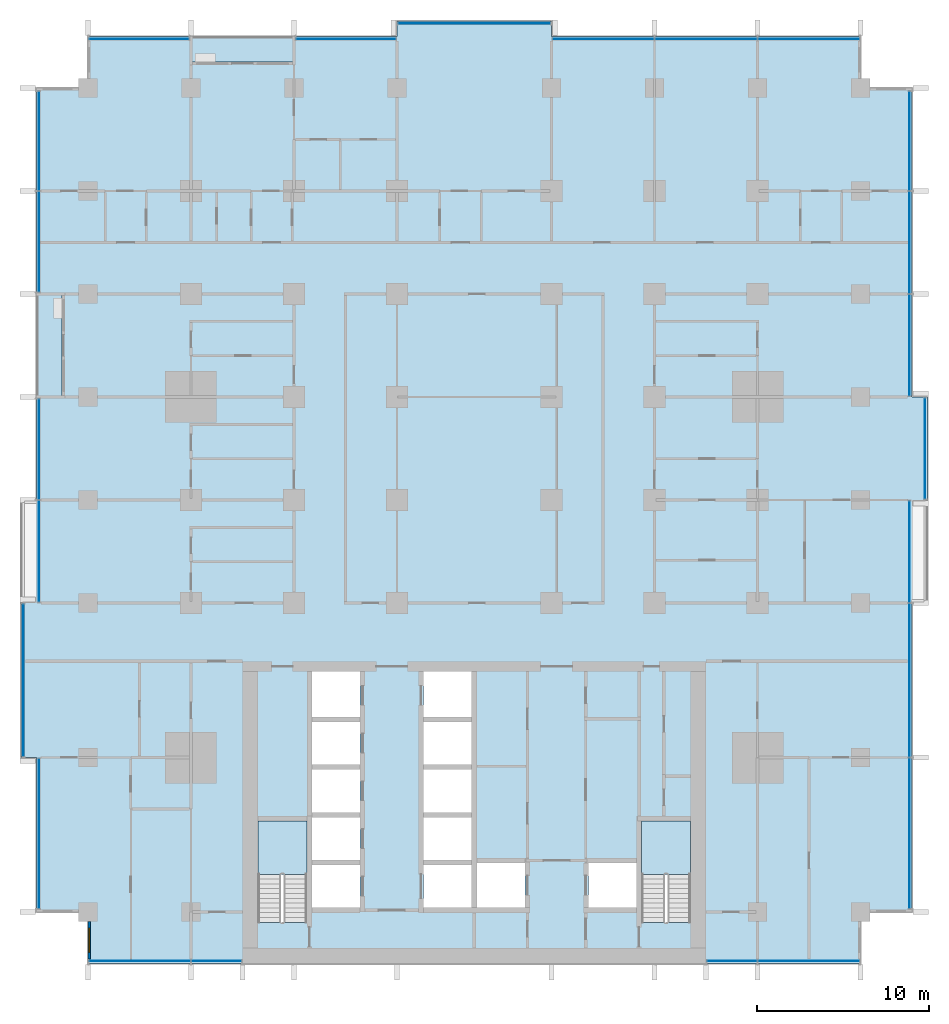
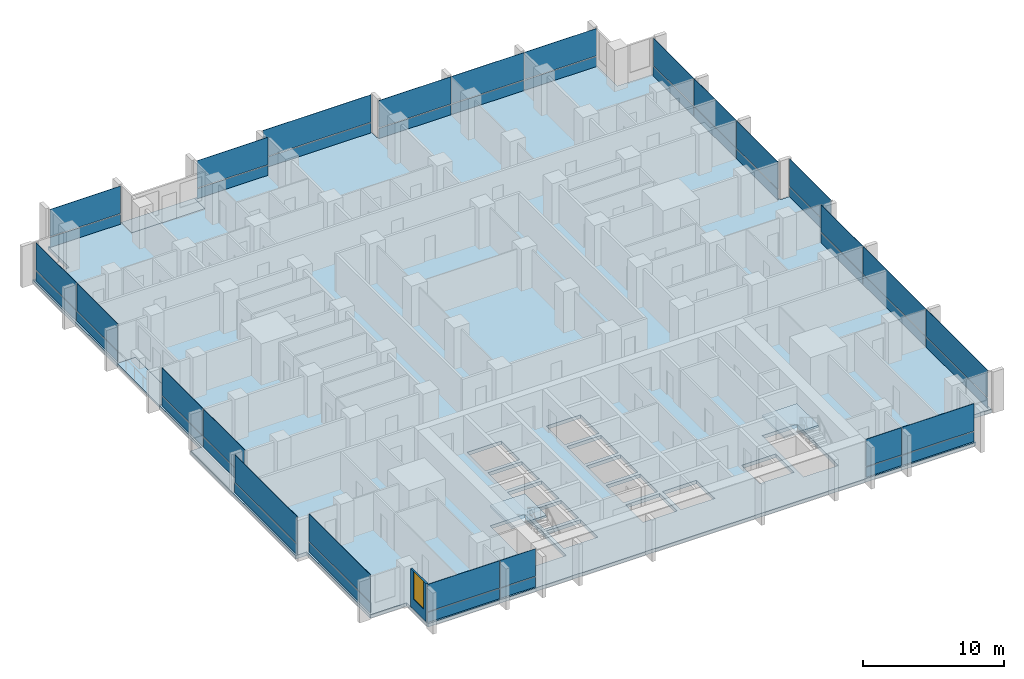
# One storey, part 6 of 17: 46 plates, 5 slabs, 1 wall, 1 window, 1 opening, 15 elements without a shape of their own.
"""IFC4 building model written with IfcOpenShell, lengths in metres."""

import ifcopenshell
import ifcopenshell.guid

model = None  # the IFC model being written
_history = None  # IfcOwnerHistory: only IFC2X3 demands one
_inside = {}  # id of a spatial element -> (the spatial element, [elements in it])
_under = {}  # id of a project, library or spatial element -> (it, [spatial elements below it])
_declared = {}  # id of a project -> (the project, [libraries it declares])
_typed = {}  # id of a type object -> (the type object, [elements of that type])
_made_of = {}  # id of a material, layer set ... -> (it, [elements and type objects made of it])


def new_model(schema):
    """Start an empty IFC model of exactly this schema.

    Asked for "IFC4X3", IfcOpenShell would pick the latest addendum, in which some entities
    have other attributes; the version numbers below select the first issue.
    IFC2X3 requires an IfcOwnerHistory on every rooted entity: one is made here for all.
    """
    global model, _history
    if schema == "IFC4X3":
        model = ifcopenshell.file(schema_version=(4, 3, 0, 0))
    else:
        model = ifcopenshell.file(schema=schema)
    _inside.clear()
    _under.clear()
    _declared.clear()
    _typed.clear()
    _made_of.clear()
    _history = None
    if model.schema == "IFC2X3":
        org = make("IfcOrganization", Name="unknown")
        user = make(
            "IfcPersonAndOrganization",
            ThePerson=make("IfcPerson", FamilyName="unknown"),
            TheOrganization=org,
        )
        app = make(
            "IfcApplication",
            ApplicationDeveloper=org,
            Version="unknown",
            ApplicationFullName="unknown",
            ApplicationIdentifier="unknown",
        )
        _history = make(
            "IfcOwnerHistory",
            OwningUser=user,
            OwningApplication=app,
            ChangeAction="ADDED",
            CreationDate=0,
        )
    return model


def make(cls, **values):
    """One entity of the class cls with the attributes given. An attribute that is None is left unset."""
    return model.create_entity(
        cls, **{name: value for name, value in values.items() if value is not None}
    )


def rooted(cls, **values):
    """An entity with a GlobalId (a new one), such as an element, a storey or a relation."""
    return make(cls, GlobalId=ifcopenshell.guid.new(), OwnerHistory=_history, **values)


def si_unit(unit_type, name, prefix=None):
    """IfcSIUnit, for example si_unit("LENGTHUNIT", "METRE", prefix="MILLI")."""
    return make("IfcSIUnit", UnitType=unit_type, Prefix=prefix, Name=name)


def assignment(units):
    """IfcUnitAssignment: the units of a project."""
    return None if units is None else make("IfcUnitAssignment", Units=units)


def point(xyz):
    """IfcCartesianPoint."""
    return None if xyz is None else make("IfcCartesianPoint", Coordinates=xyz)


def direction(xyz):
    """IfcDirection."""
    return None if xyz is None else make("IfcDirection", DirectionRatios=xyz)


def frame(location, z_axis=None, x_axis=None):
    """IfcAxis2Placement3D, a coordinate frame: its origin and axes. An axis left out is left unset."""
    return make(
        "IfcAxis2Placement3D",
        Location=point(location),
        Axis=direction(z_axis),
        RefDirection=direction(x_axis),
    )


def frame_2d(location, x_axis=None):
    """IfcAxis2Placement2D, a coordinate frame in the plane: its origin and x axis."""
    return make(
        "IfcAxis2Placement2D", Location=point(location), RefDirection=direction(x_axis)
    )


def origin():
    """The frame at (0, 0, 0) with its axes left unset."""
    return frame((0.0, 0.0, 0.0))


def origin_2d():
    """The frame at (0, 0) in the plane with its x axis left unset."""
    return frame_2d((0.0, 0.0))


def place(relative_to, where):
    """IfcLocalPlacement: puts the frame where relative to a parent placement (None: the world)."""
    return make(
        "IfcLocalPlacement", PlacementRelTo=relative_to, RelativePlacement=where
    )


def context(
    kind, dimensions, precision=None, world=None, true_north=None, identifier=None
):
    """IfcGeometricRepresentationContext, for example the 3D "Model" context."""
    return make(
        "IfcGeometricRepresentationContext",
        ContextIdentifier=identifier,
        ContextType=kind,
        CoordinateSpaceDimension=dimensions,
        Precision=precision,
        WorldCoordinateSystem=world,
        TrueNorth=true_north,
    )


def subcontext(parent, identifier, kind, view, scale=None):
    """IfcGeometricRepresentationSubContext, for example "Body" below "Model"."""
    return make(
        "IfcGeometricRepresentationSubContext",
        ContextIdentifier=identifier,
        ContextType=kind,
        ParentContext=parent,
        TargetScale=scale,
        TargetView=view,
    )


def project(units=None, contexts=None):
    """IfcProject with its units and contexts."""
    return rooted(
        "IfcProject",
        Name="project",
        RepresentationContexts=contexts,
        UnitsInContext=assignment(units),
    )


def spatial(cls, under=None, at=None, **own):
    """A site, building, storey or space (cls), placed at a placement, below another one or the project."""
    s = rooted(cls, ObjectPlacement=at, **own)
    if under is not None:
        _under.setdefault(under.id(), (under, []))[1].append(s)
    return s


def polyline(points):
    """IfcPolyline through the points."""
    return make("IfcPolyline", Points=[point(p) for p in points])


def profile(cls, at=None, kind="AREA", **sizes):
    """A parametric profile (cls). Its sizes go by their IFC names, for example OverallWidth=200.0."""
    return make(cls, ProfileType=kind, Position=at, **sizes)


def rectangle(**sizes):
    """IfcRectangleProfileDef."""
    return profile("IfcRectangleProfileDef", **sizes)


def outline(outer, holes=None, kind="AREA"):
    """IfcArbitraryClosedProfileDef: a profile drawn as a closed curve; with holes, ...WithVoids."""
    if holes is None:
        return make("IfcArbitraryClosedProfileDef", ProfileType=kind, OuterCurve=outer)
    return make(
        "IfcArbitraryProfileDefWithVoids",
        ProfileType=kind,
        OuterCurve=outer,
        InnerCurves=holes,
    )


def extrude(swept, where, along, depth):
    """IfcExtrudedAreaSolid: the profile swept, set in the frame where, extruded along a direction by depth."""
    return make(
        "IfcExtrudedAreaSolid",
        SweptArea=swept,
        Position=where,
        ExtrudedDirection=direction(along),
        Depth=depth,
    )


def shape(context_of_items, identifier, shape_type, items):
    """IfcShapeRepresentation: the items that make up one representation, for example the "Body"."""
    return make(
        "IfcShapeRepresentation",
        ContextOfItems=context_of_items,
        RepresentationIdentifier=identifier,
        RepresentationType=shape_type,
        Items=items,
    )


def material(Name=None, Category=None):
    """IfcMaterial."""
    return make("IfcMaterial", Name=Name, Category=Category)


def layer(
    of_material, thickness, ventilated=None, Name=None, Category=None, Priority=None
):
    """IfcMaterialLayer: one layer of a wall or slab, of a material (None: an air gap)."""
    return make(
        "IfcMaterialLayer",
        Material=of_material,
        LayerThickness=thickness,
        IsVentilated=ventilated,
        Name=Name,
        Category=Category,
        Priority=Priority,
    )


def layer_set(layers, Name=None):
    """IfcMaterialLayerSet."""
    return make("IfcMaterialLayerSet", MaterialLayers=layers, LayerSetName=Name)


def made_of(thing, what):
    """Note that an element or type object is made of a material, layer set ...; save() writes the relation."""
    if what is not None:
        _made_of.setdefault(what.id(), (what, []))[1].append(thing)
    return thing


def type_object(cls, material=None, **own):
    """A type object (cls), such as IfcWallType, which elements share."""
    return made_of(rooted(cls, **own), material)


def element(
    cls,
    number,
    at=None,
    inside=None,
    cuts=None,
    type_object=None,
    material=None,
    context=None,
    identifier="Body",
    shape_type=None,
    held_by="IfcProductDefinitionShape",
    body=None,
    shapes=None,
    **own,
):
    """One element of the class cls, such as IfcWall. Its Tag is "e" and its number.

    at: its placement. inside: the storey or other place that contains it. cuts: it is an
    opening in that element (IfcRelVoidsElement). A single representation is given by context,
    identifier, shape_type and body (its items); several are given by shapes. held_by: the class
    of the entity that holds the representations. save() writes the other relations.
    """
    e = rooted(cls, Tag="e%d" % number, ObjectPlacement=at, **own)
    if body is not None:
        shapes = [shape(context, identifier, shape_type, body)]
    if shapes is not None:
        e.Representation = make(held_by, Representations=shapes)
    if inside is not None:
        _inside.setdefault(inside.id(), (inside, []))[1].append(e)
    if cuts is not None:
        rooted(
            "IfcRelVoidsElement", RelatingBuildingElement=cuts, RelatedOpeningElement=e
        )
    if type_object is not None:
        _typed.setdefault(type_object.id(), (type_object, []))[1].append(e)
    return made_of(e, material)


def fill(opening, filler):
    """IfcRelFillsElement: the door or window that sits in an opening."""
    return rooted(
        "IfcRelFillsElement",
        RelatingOpeningElement=opening,
        RelatedBuildingElement=filler,
    )


def aggregate(whole, parts):
    """IfcRelAggregates: a whole, such as a stair, and the parts it consists of."""
    return rooted("IfcRelAggregates", RelatingObject=whole, RelatedObjects=parts)


def save(model, path):
    """Write the relations noted so far, then the file.

    IfcRelAggregates (storeys below a building ...), IfcRelContainedInSpatialStructure (elements
    in a storey), IfcRelDefinesByType, IfcRelAssociatesMaterial and IfcRelDeclares: one each for
    every whole, place, type object, material and project.
    """
    for whole, parts in _under.values():
        aggregate(whole, parts)
    for where, things in _inside.values():
        rooted(
            "IfcRelContainedInSpatialStructure",
            RelatedElements=things,
            RelatingStructure=where,
        )
    for kind, things in _typed.values():
        rooted("IfcRelDefinesByType", RelatedObjects=things, RelatingType=kind)
    for what, things in _made_of.values():
        rooted("IfcRelAssociatesMaterial", RelatedObjects=things, RelatingMaterial=what)
    for by, libraries in _declared.values():
        rooted("IfcRelDeclares", RelatingContext=by, RelatedDefinitions=libraries)
    model.write(path)


model = new_model("IFC4")

# Units and contexts
model_context = context("Model", 3, precision=1e-05, world=origin(), true_north=direction((0.0, 1.0)))
body_context = subcontext(model_context, "Body", "Model", "MODEL_VIEW")
ifc_project = project(units=[si_unit("LENGTHUNIT", "METRE"), si_unit("AREAUNIT", "SQUARE_METRE"), si_unit("VOLUMEUNIT", "CUBIC_METRE"), si_unit("PLANEANGLEUNIT", "RADIAN"), si_unit("MASSUNIT", "GRAM", prefix="KILO")], contexts=[model_context])

# Site, building, storey
site_placement = place(None, origin())
site = spatial("IfcSite", under=ifc_project, at=site_placement, CompositionType="ELEMENT")
building_placement = place(site_placement, origin())
building = spatial("IfcBuilding", under=site, at=building_placement, Name="Finial Court Residences", CompositionType="ELEMENT")
storey_placement = place(building_placement, frame((0.0, 0.0, 61.300048828125)))
storey = spatial("IfcBuildingStorey", under=building, at=storey_placement, Name="L14", CompositionType="ELEMENT", Elevation=61.300048828125)

# Slabs
ifc_material_1 = material(Name="Concrete C35/45", Category="concrete")
ifc_layer_1 = layer(ifc_material_1, 0.199951171875)
ifc_layer_set_1 = layer_set([ifc_layer_1], Name="Balcony slab, Concrete C35/45 200")
slab_type_1 = type_object("IfcSlabType", Name="Balcony slab, Concrete C35/45 200", PredefinedType="FLOOR", material=ifc_layer_set_1)
slab_1_placement = place(storey_placement, frame((0.0, 0.0, -0.199951171875)))
element("IfcSlab", 1, at=slab_1_placement, inside=storey, type_object=slab_type_1, Name="Balcony L14-N2", PredefinedType="FLOOR", context=body_context, shape_type="SweptSolid", body=[
    extrude(outline(polyline([(-10.5, 27.0), (-10.5, 28.5), (-16.5, 28.5), (-16.5, 27.0), (-10.5, 27.0)])), origin(), (0.0, 0.0, 1.0), 0.199951171875),
])
slab_2_placement = place(storey_placement, frame((0.0, 0.0, -0.199951171875)))
element("IfcSlab", 2, at=slab_2_placement, inside=storey, type_object=slab_type_1, Name="Balcony L14-W5", PredefinedType="FLOOR", context=body_context, shape_type="SweptSolid", body=[
    extrude(outline(polyline([(-24.0, 7.5), (-24.0, 13.5), (-25.5, 13.5), (-25.5, 7.5), (-24.0, 7.5)])), origin(), (0.0, 0.0, 1.0), 0.199951171875),
])

# Curtain wall, plate
ifc_material_2 = material(Name="Bronze anodised aluminium", Category="aluminium")
curtain_wall_type = type_object("IfcCurtainWallType", Name="Unitised curtain wall, lower and middle zones", PredefinedType="NOTDEFINED", material=ifc_material_2)
curtain_wall_1_placement = place(storey_placement, origin())
curtain_wall_1 = element("IfcCurtainWall", 3, at=curtain_wall_1_placement, inside=storey, type_object=curtain_wall_type, Name="E-L14-CW-N1", PredefinedType="NOTDEFINED")
ifc_layer_2 = layer(ifc_material_2, 0.0400390625)
ifc_layer_set_2 = layer_set([ifc_layer_2], Name="CW1 spandrel panel 40")
plate_type_1 = type_object("IfcPlateType", Name="CW1 spandrel panel 40", PredefinedType="CURTAIN_PANEL", material=ifc_layer_set_2)
plate_1_placement = place(storey_placement, frame((-19.53759765625, 28.35009765625, 0.0), z_axis=(0.0, 0.0, 1.0), x_axis=(1.0, 0.0, 0.0)))
plate_1 = element("IfcPlate", 4, at=plate_1_placement, type_object=plate_type_1, Name="CW1 spandrel 1.1", PredefinedType="CURTAIN_PANEL", context=body_context, shape_type="SweptSolid", body=[
    extrude(rectangle(XDim=5.794921875, YDim=0.0400390625, at=origin_2d()), origin(), (0.0, 0.0, 1.0), 0.867431640625),
])

curtain_wall_2_placement = place(storey_placement, origin())
curtain_wall_2 = element("IfcCurtainWall", 5, at=curtain_wall_2_placement, inside=storey, type_object=curtain_wall_type, Name="E-L14-CW-N2", PredefinedType="NOTDEFINED")
plate_2_placement = place(storey_placement, frame((-7.46240234375, 28.35009765625, 0.0), z_axis=(0.0, 0.0, 1.0), x_axis=(1.0, 0.0, 0.0)))
plate_2 = element("IfcPlate", 6, at=plate_2_placement, type_object=plate_type_1, Name="CW1 spandrel 1.1", PredefinedType="CURTAIN_PANEL", context=body_context, shape_type="SweptSolid", body=[
    extrude(rectangle(XDim=5.794921875, YDim=0.0400390625, at=origin_2d()), origin(), (0.0, 0.0, 1.0), 0.867431640625),
])

curtain_wall_3_placement = place(storey_placement, origin())
curtain_wall_3 = element("IfcCurtainWall", 7, at=curtain_wall_3_placement, inside=storey, type_object=curtain_wall_type, Name="E-L14-CW-N3", PredefinedType="NOTDEFINED")
plate_3_placement = place(storey_placement, frame((0.0, 29.25, 0.0), z_axis=(0.0, 0.0, 1.0), x_axis=(1.0, 0.0, 0.0)))
plate_3 = element("IfcPlate", 8, at=plate_3_placement, type_object=plate_type_1, Name="CW1 spandrel 1.1", PredefinedType="CURTAIN_PANEL", context=body_context, shape_type="SweptSolid", body=[
    extrude(rectangle(XDim=8.8701171875, YDim=0.0400390625, at=origin_2d()), origin(), (0.0, 0.0, 1.0), 0.867431640625),
])

# Curtain wall, plates
curtain_wall_4_placement = place(storey_placement, origin())
curtain_wall_4 = element("IfcCurtainWall", 9, at=curtain_wall_4_placement, inside=storey, type_object=curtain_wall_type, Name="E-L14-CW-N4", PredefinedType="NOTDEFINED")
plate_4_placement = place(storey_placement, frame((7.51611328125, 28.35009765625, 0.0), z_axis=(0.0, 0.0, 1.0), x_axis=(1.0, 0.0, 0.0)))
plate_4 = element("IfcPlate", 10, at=plate_4_placement, type_object=plate_type_1, Name="CW1 spandrel 1.1", PredefinedType="CURTAIN_PANEL", context=body_context, shape_type="SweptSolid", body=[
    extrude(rectangle(XDim=5.902587890625, YDim=0.0400390625, at=origin_2d()), origin(), (0.0, 0.0, 1.0), 0.867431640625),
])
plate_5_placement = place(storey_placement, frame((13.5, 28.35009765625, 0.0), z_axis=(0.0, 0.0, 1.0), x_axis=(1.0, 0.0, 0.0)))
plate_5 = element("IfcPlate", 11, at=plate_5_placement, type_object=plate_type_1, Name="CW1 spandrel 2.1", PredefinedType="CURTAIN_PANEL", context=body_context, shape_type="SweptSolid", body=[
    extrude(rectangle(XDim=5.93505859375, YDim=0.0400390625, at=origin_2d()), origin(), (0.0, 0.0, 1.0), 0.867431640625),
])
plate_6_placement = place(storey_placement, frame((19.48388671875, 28.35009765625, 0.0), z_axis=(0.0, 0.0, 1.0), x_axis=(1.0, 0.0, 0.0)))
plate_6 = element("IfcPlate", 12, at=plate_6_placement, type_object=plate_type_1, Name="CW1 spandrel 3.1", PredefinedType="CURTAIN_PANEL", context=body_context, shape_type="SweptSolid", body=[
    extrude(rectangle(XDim=5.902587890625, YDim=0.0400390625, at=origin_2d()), origin(), (0.0, 0.0, 1.0), 0.867431640625),
])

curtain_wall_5_placement = place(storey_placement, origin())
curtain_wall_5 = element("IfcCurtainWall", 13, at=curtain_wall_5_placement, inside=storey, type_object=curtain_wall_type, Name="E-L14-CW-E5", PredefinedType="NOTDEFINED")
plate_7_placement = place(storey_placement, frame((25.35009765625, -17.90869140625, 0.0), z_axis=(0.0, 0.0, 1.0), x_axis=(0.0, 1.0, 0.0)))
plate_7 = element("IfcPlate", 14, at=plate_7_placement, type_object=plate_type_1, Name="CW1 spandrel 1.1", PredefinedType="CURTAIN_PANEL", context=body_context, shape_type="SweptSolid", body=[
    extrude(rectangle(XDim=8.75244140625, YDim=0.0400390625, at=origin_2d()), origin(), (0.0, 0.0, 1.0), 0.867431640625),
])
plate_8_placement = place(storey_placement, frame((25.35009765625, -9.0, 0.0), z_axis=(0.0, 0.0, 1.0), x_axis=(0.0, 1.0, 0.0)))
plate_8 = element("IfcPlate", 15, at=plate_8_placement, type_object=plate_type_1, Name="CW1 spandrel 2.1", PredefinedType="CURTAIN_PANEL", context=body_context, shape_type="SweptSolid", body=[
    extrude(rectangle(XDim=8.93505859375, YDim=0.0400390625, at=origin_2d()), origin(), (0.0, 0.0, 1.0), 0.867431640625),
])
plate_9_placement = place(storey_placement, frame((25.35009765625, -1.516357421875, 0.0), z_axis=(0.0, 0.0, 1.0), x_axis=(0.0, 1.0, 0.0)))
plate_9 = element("IfcPlate", 16, at=plate_9_placement, type_object=plate_type_1, Name="CW1 spandrel 3.1", PredefinedType="CURTAIN_PANEL", context=body_context, shape_type="SweptSolid", body=[
    extrude(rectangle(XDim=5.902587890625, YDim=0.0400390625, at=origin_2d()), origin(), (0.0, 0.0, 1.0), 0.867431640625),
])

# Curtain wall, plate
curtain_wall_6_placement = place(storey_placement, origin())
curtain_wall_6 = element("IfcCurtainWall", 17, at=curtain_wall_6_placement, inside=storey, type_object=curtain_wall_type, Name="E-L14-CW-E6", PredefinedType="NOTDEFINED")
plate_10_placement = place(storey_placement, frame((26.25, 4.5, 0.0), z_axis=(0.0, 0.0, 1.0), x_axis=(0.0, 1.0, 0.0)))
plate_10 = element("IfcPlate", 18, at=plate_10_placement, type_object=plate_type_1, Name="CW1 spandrel 1.1", PredefinedType="CURTAIN_PANEL", context=body_context, shape_type="SweptSolid", body=[
    extrude(rectangle(XDim=5.8701171875, YDim=0.0400390625, at=origin_2d()), origin(), (0.0, 0.0, 1.0), 0.867431640625),
])

# Curtain wall, plates
curtain_wall_7_placement = place(storey_placement, origin())
curtain_wall_7 = element("IfcCurtainWall", 19, at=curtain_wall_7_placement, inside=storey, type_object=curtain_wall_type, Name="E-L14-CW-E7", PredefinedType="NOTDEFINED")
plate_11_placement = place(storey_placement, frame((25.35009765625, 10.51611328125, 0.0), z_axis=(0.0, 0.0, 1.0), x_axis=(0.0, 1.0, 0.0)))
plate_11 = element("IfcPlate", 20, at=plate_11_placement, type_object=plate_type_1, Name="CW1 spandrel 1.1", PredefinedType="CURTAIN_PANEL", context=body_context, shape_type="SweptSolid", body=[
    extrude(rectangle(XDim=5.902587890625, YDim=0.0400390625, at=origin_2d()), origin(), (0.0, 0.0, 1.0), 0.867431640625),
])
plate_12_placement = place(storey_placement, frame((25.35009765625, 16.5, 0.0), z_axis=(0.0, 0.0, 1.0), x_axis=(0.0, 1.0, 0.0)))
plate_12 = element("IfcPlate", 21, at=plate_12_placement, type_object=plate_type_1, Name="CW1 spandrel 2.1", PredefinedType="CURTAIN_PANEL", context=body_context, shape_type="SweptSolid", body=[
    extrude(rectangle(XDim=5.93505859375, YDim=0.0400390625, at=origin_2d()), origin(), (0.0, 0.0, 1.0), 0.867431640625),
])
plate_13_placement = place(storey_placement, frame((25.35009765625, 22.40869140625, 0.0), z_axis=(0.0, 0.0, 1.0), x_axis=(0.0, 1.0, 0.0)))
plate_13 = element("IfcPlate", 22, at=plate_13_placement, type_object=plate_type_1, Name="CW1 spandrel 3.1", PredefinedType="CURTAIN_PANEL", context=body_context, shape_type="SweptSolid", body=[
    extrude(rectangle(XDim=5.75244140625, YDim=0.0400390625, at=origin_2d()), origin(), (0.0, 0.0, 1.0), 0.867431640625),
])

curtain_wall_8_placement = place(storey_placement, origin())
curtain_wall_8 = element("IfcCurtainWall", 23, at=curtain_wall_8_placement, inside=storey, type_object=curtain_wall_type, Name="E-L14-CW-S8", PredefinedType="NOTDEFINED")
plate_14_placement = place(storey_placement, frame((-19.48388671875, -25.35009765625, 0.0), z_axis=(0.0, 0.0, 1.0), x_axis=(1.0, 0.0, 0.0)))
plate_14 = element("IfcPlate", 24, at=plate_14_placement, type_object=plate_type_1, Name="CW1 spandrel 1.1", PredefinedType="CURTAIN_PANEL", context=body_context, shape_type="SweptSolid", body=[
    extrude(rectangle(XDim=5.902587890625, YDim=0.0400390625, at=origin_2d()), origin(), (0.0, 0.0, 1.0), 0.867431640625),
])
plate_15_placement = place(storey_placement, frame((-15.016357421875, -25.35009765625, 0.0), z_axis=(0.0, 0.0, 1.0), x_axis=(1.0, 0.0, 0.0)))
plate_15 = element("IfcPlate", 25, at=plate_15_placement, type_object=plate_type_1, Name="CW1 spandrel 2.1", PredefinedType="CURTAIN_PANEL", context=body_context, shape_type="SweptSolid", body=[
    extrude(rectangle(XDim=2.902587890625, YDim=0.0400390625, at=origin_2d()), origin(), (0.0, 0.0, 1.0), 0.867431640625),
])

curtain_wall_9_placement = place(storey_placement, origin())
curtain_wall_9 = element("IfcCurtainWall", 26, at=curtain_wall_9_placement, inside=storey, type_object=curtain_wall_type, Name="E-L14-CW-S9", PredefinedType="NOTDEFINED")
plate_16_placement = place(storey_placement, frame((15.016357421875, -25.35009765625, 0.0), z_axis=(0.0, 0.0, 1.0), x_axis=(1.0, 0.0, 0.0)))
plate_16 = element("IfcPlate", 27, at=plate_16_placement, type_object=plate_type_1, Name="CW1 spandrel 1.1", PredefinedType="CURTAIN_PANEL", context=body_context, shape_type="SweptSolid", body=[
    extrude(rectangle(XDim=2.902587890625, YDim=0.0400390625, at=origin_2d()), origin(), (0.0, 0.0, 1.0), 0.867431640625),
])
plate_17_placement = place(storey_placement, frame((19.48388671875, -25.35009765625, 0.0), z_axis=(0.0, 0.0, 1.0), x_axis=(1.0, 0.0, 0.0)))
plate_17 = element("IfcPlate", 28, at=plate_17_placement, type_object=plate_type_1, Name="CW1 spandrel 2.1", PredefinedType="CURTAIN_PANEL", context=body_context, shape_type="SweptSolid", body=[
    extrude(rectangle(XDim=5.902587890625, YDim=0.0400390625, at=origin_2d()), origin(), (0.0, 0.0, 1.0), 0.867431640625),
])

# Curtain wall, plate
curtain_wall_10_placement = place(storey_placement, origin())
curtain_wall_10 = element("IfcCurtainWall", 29, at=curtain_wall_10_placement, inside=storey, type_object=curtain_wall_type, Name="E-L14-CW-W10", PredefinedType="NOTDEFINED")
plate_18_placement = place(storey_placement, frame((-25.35009765625, -17.925048828125, 0.0), z_axis=(0.0, 0.0, 1.0), x_axis=(0.0, 1.0, 0.0)))
plate_18 = element("IfcPlate", 30, at=plate_18_placement, type_object=plate_type_1, Name="CW1 spandrel 1.1", PredefinedType="CURTAIN_PANEL", context=body_context, shape_type="SweptSolid", body=[
    extrude(rectangle(XDim=8.719970703125, YDim=0.0400390625, at=origin_2d()), origin(), (0.0, 0.0, 1.0), 0.867431640625),
])

curtain_wall_11_placement = place(storey_placement, origin())
curtain_wall_11 = element("IfcCurtainWall", 31, at=curtain_wall_11_placement, inside=storey, type_object=curtain_wall_type, Name="E-L14-CW-W11", PredefinedType="NOTDEFINED")
plate_19_placement = place(storey_placement, frame((-26.25, -9.0, 0.0), z_axis=(0.0, 0.0, 1.0), x_axis=(0.0, 1.0, 0.0)))
plate_19 = element("IfcPlate", 32, at=plate_19_placement, type_object=plate_type_1, Name="CW1 spandrel 1.1", PredefinedType="CURTAIN_PANEL", context=body_context, shape_type="SweptSolid", body=[
    extrude(rectangle(XDim=8.8701171875, YDim=0.0400390625, at=origin_2d()), origin(), (0.0, 0.0, 1.0), 0.867431640625),
])

# Curtain wall, plates
curtain_wall_12_placement = place(storey_placement, origin())
curtain_wall_12 = element("IfcCurtainWall", 33, at=curtain_wall_12_placement, inside=storey, type_object=curtain_wall_type, Name="E-L14-CW-W12", PredefinedType="NOTDEFINED")
plate_20_placement = place(storey_placement, frame((-25.35009765625, -1.48388671875, 0.0), z_axis=(0.0, 0.0, 1.0), x_axis=(0.0, 1.0, 0.0)))
plate_20 = element("IfcPlate", 34, at=plate_20_placement, type_object=plate_type_1, Name="CW1 spandrel 1.1", PredefinedType="CURTAIN_PANEL", context=body_context, shape_type="SweptSolid", body=[
    extrude(rectangle(XDim=5.902587890625, YDim=0.0400390625, at=origin_2d()), origin(), (0.0, 0.0, 1.0), 0.867431640625),
])
plate_21_placement = place(storey_placement, frame((-25.35009765625, 4.4462890625, 0.0), z_axis=(0.0, 0.0, 1.0), x_axis=(0.0, 1.0, 0.0)))
plate_21 = element("IfcPlate", 35, at=plate_21_placement, type_object=plate_type_1, Name="CW1 spandrel 2.1", PredefinedType="CURTAIN_PANEL", context=body_context, shape_type="SweptSolid", body=[
    extrude(rectangle(XDim=5.827392578125, YDim=0.0400390625, at=origin_2d()), origin(), (0.0, 0.0, 1.0), 0.867431640625),
])

curtain_wall_13_placement = place(storey_placement, origin())
curtain_wall_13 = element("IfcCurtainWall", 36, at=curtain_wall_13_placement, inside=storey, type_object=curtain_wall_type, Name="E-L14-CW-W13", PredefinedType="NOTDEFINED")
plate_22_placement = place(storey_placement, frame((-25.35009765625, 16.5537109375, 0.0), z_axis=(0.0, 0.0, 1.0), x_axis=(0.0, 1.0, 0.0)))
plate_22 = element("IfcPlate", 37, at=plate_22_placement, type_object=plate_type_1, Name="CW1 spandrel 1.1", PredefinedType="CURTAIN_PANEL", context=body_context, shape_type="SweptSolid", body=[
    extrude(rectangle(XDim=5.827392578125, YDim=0.0400390625, at=origin_2d()), origin(), (0.0, 0.0, 1.0), 0.867431640625),
])
plate_23_placement = place(storey_placement, frame((-25.35009765625, 22.40869140625, 0.0), z_axis=(0.0, 0.0, 1.0), x_axis=(0.0, 1.0, 0.0)))
plate_23 = element("IfcPlate", 38, at=plate_23_placement, type_object=plate_type_1, Name="CW1 spandrel 2.1", PredefinedType="CURTAIN_PANEL", context=body_context, shape_type="SweptSolid", body=[
    extrude(rectangle(XDim=5.75244140625, YDim=0.0400390625, at=origin_2d()), origin(), (0.0, 0.0, 1.0), 0.867431640625),
])

# Plate
ifc_material_3 = material(Name="Clear low-e glass", Category="glass")
ifc_layer_3 = layer(ifc_material_3, 0.031982421875)
ifc_layer_set_3 = layer_set([ifc_layer_3], Name="CW1 vision glass 32")
plate_type_2 = type_object("IfcPlateType", Name="CW1 vision glass 32", PredefinedType="CURTAIN_PANEL", material=ifc_layer_set_3)
plate_24_placement = place(storey_placement, frame((-19.53759765625, 28.35009765625, 0.9326171875), z_axis=(0.0, 0.0, 1.0), x_axis=(1.0, 0.0, 0.0)))
plate_24 = element("IfcPlate", 39, at=plate_24_placement, type_object=plate_type_2, Name="CW1 glass 1.2", PredefinedType="CURTAIN_PANEL", context=body_context, shape_type="SweptSolid", body=[
    extrude(rectangle(XDim=5.794921875, YDim=0.031982421875, at=origin_2d()), origin(), (0.0, 0.0, 1.0), 2.367431640625),
])

aggregate(curtain_wall_1, [plate_1, plate_24])

plate_25_placement = place(storey_placement, frame((-7.46240234375, 28.35009765625, 0.9326171875), z_axis=(0.0, 0.0, 1.0), x_axis=(1.0, 0.0, 0.0)))
plate_25 = element("IfcPlate", 40, at=plate_25_placement, type_object=plate_type_2, Name="CW1 glass 1.2", PredefinedType="CURTAIN_PANEL", context=body_context, shape_type="SweptSolid", body=[
    extrude(rectangle(XDim=5.794921875, YDim=0.031982421875, at=origin_2d()), origin(), (0.0, 0.0, 1.0), 2.367431640625),
])

aggregate(curtain_wall_2, [plate_2, plate_25])

plate_26_placement = place(storey_placement, frame((0.0, 29.25, 0.9326171875), z_axis=(0.0, 0.0, 1.0), x_axis=(1.0, 0.0, 0.0)))
plate_26 = element("IfcPlate", 41, at=plate_26_placement, type_object=plate_type_2, Name="CW1 glass 1.2", PredefinedType="CURTAIN_PANEL", context=body_context, shape_type="SweptSolid", body=[
    extrude(rectangle(XDim=8.8701171875, YDim=0.031982421875, at=origin_2d()), origin(), (0.0, 0.0, 1.0), 2.367431640625),
])

aggregate(curtain_wall_3, [plate_3, plate_26])

plate_27_placement = place(storey_placement, frame((7.51611328125, 28.35009765625, 0.9326171875), z_axis=(0.0, 0.0, 1.0), x_axis=(1.0, 0.0, 0.0)))
plate_27 = element("IfcPlate", 42, at=plate_27_placement, type_object=plate_type_2, Name="CW1 glass 1.2", PredefinedType="CURTAIN_PANEL", context=body_context, shape_type="SweptSolid", body=[
    extrude(rectangle(XDim=5.902587890625, YDim=0.031982421875, at=origin_2d()), origin(), (0.0, 0.0, 1.0), 2.367431640625),
])

plate_28_placement = place(storey_placement, frame((13.5, 28.35009765625, 0.9326171875), z_axis=(0.0, 0.0, 1.0), x_axis=(1.0, 0.0, 0.0)))
plate_28 = element("IfcPlate", 43, at=plate_28_placement, type_object=plate_type_2, Name="CW1 glass 2.2", PredefinedType="CURTAIN_PANEL", context=body_context, shape_type="SweptSolid", body=[
    extrude(rectangle(XDim=5.93505859375, YDim=0.031982421875, at=origin_2d()), origin(), (0.0, 0.0, 1.0), 2.367431640625),
])

plate_29_placement = place(storey_placement, frame((19.48388671875, 28.35009765625, 0.9326171875), z_axis=(0.0, 0.0, 1.0), x_axis=(1.0, 0.0, 0.0)))
plate_29 = element("IfcPlate", 44, at=plate_29_placement, type_object=plate_type_2, Name="CW1 glass 3.2", PredefinedType="CURTAIN_PANEL", context=body_context, shape_type="SweptSolid", body=[
    extrude(rectangle(XDim=5.902587890625, YDim=0.031982421875, at=origin_2d()), origin(), (0.0, 0.0, 1.0), 2.367431640625),
])

aggregate(curtain_wall_4, [plate_4, plate_27, plate_5, plate_28, plate_6, plate_29])

plate_30_placement = place(storey_placement, frame((25.35009765625, -17.90869140625, 0.9326171875), z_axis=(0.0, 0.0, 1.0), x_axis=(0.0, 1.0, 0.0)))
plate_30 = element("IfcPlate", 45, at=plate_30_placement, type_object=plate_type_2, Name="CW1 glass 1.2", PredefinedType="CURTAIN_PANEL", context=body_context, shape_type="SweptSolid", body=[
    extrude(rectangle(XDim=8.75244140625, YDim=0.031982421875, at=origin_2d()), origin(), (0.0, 0.0, 1.0), 2.367431640625),
])

plate_31_placement = place(storey_placement, frame((25.35009765625, -9.0, 0.9326171875), z_axis=(0.0, 0.0, 1.0), x_axis=(0.0, 1.0, 0.0)))
plate_31 = element("IfcPlate", 46, at=plate_31_placement, type_object=plate_type_2, Name="CW1 glass 2.2", PredefinedType="CURTAIN_PANEL", context=body_context, shape_type="SweptSolid", body=[
    extrude(rectangle(XDim=8.93505859375, YDim=0.031982421875, at=origin_2d()), origin(), (0.0, 0.0, 1.0), 2.367431640625),
])

plate_32_placement = place(storey_placement, frame((25.35009765625, -1.516357421875, 0.9326171875), z_axis=(0.0, 0.0, 1.0), x_axis=(0.0, 1.0, 0.0)))
plate_32 = element("IfcPlate", 47, at=plate_32_placement, type_object=plate_type_2, Name="CW1 glass 3.2", PredefinedType="CURTAIN_PANEL", context=body_context, shape_type="SweptSolid", body=[
    extrude(rectangle(XDim=5.902587890625, YDim=0.031982421875, at=origin_2d()), origin(), (0.0, 0.0, 1.0), 2.367431640625),
])

aggregate(curtain_wall_5, [plate_7, plate_30, plate_8, plate_31, plate_9, plate_32])

plate_33_placement = place(storey_placement, frame((26.25, 4.5, 0.9326171875), z_axis=(0.0, 0.0, 1.0), x_axis=(0.0, 1.0, 0.0)))
plate_33 = element("IfcPlate", 48, at=plate_33_placement, type_object=plate_type_2, Name="CW1 glass 1.2", PredefinedType="CURTAIN_PANEL", context=body_context, shape_type="SweptSolid", body=[
    extrude(rectangle(XDim=5.8701171875, YDim=0.031982421875, at=origin_2d()), origin(), (0.0, 0.0, 1.0), 2.367431640625),
])

aggregate(curtain_wall_6, [plate_10, plate_33])

plate_34_placement = place(storey_placement, frame((25.35009765625, 10.51611328125, 0.9326171875), z_axis=(0.0, 0.0, 1.0), x_axis=(0.0, 1.0, 0.0)))
plate_34 = element("IfcPlate", 49, at=plate_34_placement, type_object=plate_type_2, Name="CW1 glass 1.2", PredefinedType="CURTAIN_PANEL", context=body_context, shape_type="SweptSolid", body=[
    extrude(rectangle(XDim=5.902587890625, YDim=0.031982421875, at=origin_2d()), origin(), (0.0, 0.0, 1.0), 2.367431640625),
])

plate_35_placement = place(storey_placement, frame((25.35009765625, 16.5, 0.9326171875), z_axis=(0.0, 0.0, 1.0), x_axis=(0.0, 1.0, 0.0)))
plate_35 = element("IfcPlate", 50, at=plate_35_placement, type_object=plate_type_2, Name="CW1 glass 2.2", PredefinedType="CURTAIN_PANEL", context=body_context, shape_type="SweptSolid", body=[
    extrude(rectangle(XDim=5.93505859375, YDim=0.031982421875, at=origin_2d()), origin(), (0.0, 0.0, 1.0), 2.367431640625),
])

plate_36_placement = place(storey_placement, frame((25.35009765625, 22.40869140625, 0.9326171875), z_axis=(0.0, 0.0, 1.0), x_axis=(0.0, 1.0, 0.0)))
plate_36 = element("IfcPlate", 51, at=plate_36_placement, type_object=plate_type_2, Name="CW1 glass 3.2", PredefinedType="CURTAIN_PANEL", context=body_context, shape_type="SweptSolid", body=[
    extrude(rectangle(XDim=5.75244140625, YDim=0.031982421875, at=origin_2d()), origin(), (0.0, 0.0, 1.0), 2.367431640625),
])

aggregate(curtain_wall_7, [plate_11, plate_34, plate_12, plate_35, plate_13, plate_36])

plate_37_placement = place(storey_placement, frame((-19.48388671875, -25.35009765625, 0.9326171875), z_axis=(0.0, 0.0, 1.0), x_axis=(1.0, 0.0, 0.0)))
plate_37 = element("IfcPlate", 52, at=plate_37_placement, type_object=plate_type_2, Name="CW1 glass 1.2", PredefinedType="CURTAIN_PANEL", context=body_context, shape_type="SweptSolid", body=[
    extrude(rectangle(XDim=5.902587890625, YDim=0.031982421875, at=origin_2d()), origin(), (0.0, 0.0, 1.0), 2.367431640625),
])

plate_38_placement = place(storey_placement, frame((-15.016357421875, -25.35009765625, 0.9326171875), z_axis=(0.0, 0.0, 1.0), x_axis=(1.0, 0.0, 0.0)))
plate_38 = element("IfcPlate", 53, at=plate_38_placement, type_object=plate_type_2, Name="CW1 glass 2.2", PredefinedType="CURTAIN_PANEL", context=body_context, shape_type="SweptSolid", body=[
    extrude(rectangle(XDim=2.902587890625, YDim=0.031982421875, at=origin_2d()), origin(), (0.0, 0.0, 1.0), 2.367431640625),
])

aggregate(curtain_wall_8, [plate_14, plate_37, plate_15, plate_38])

plate_39_placement = place(storey_placement, frame((15.016357421875, -25.35009765625, 0.9326171875), z_axis=(0.0, 0.0, 1.0), x_axis=(1.0, 0.0, 0.0)))
plate_39 = element("IfcPlate", 54, at=plate_39_placement, type_object=plate_type_2, Name="CW1 glass 1.2", PredefinedType="CURTAIN_PANEL", context=body_context, shape_type="SweptSolid", body=[
    extrude(rectangle(XDim=2.902587890625, YDim=0.031982421875, at=origin_2d()), origin(), (0.0, 0.0, 1.0), 2.367431640625),
])

plate_40_placement = place(storey_placement, frame((19.48388671875, -25.35009765625, 0.9326171875), z_axis=(0.0, 0.0, 1.0), x_axis=(1.0, 0.0, 0.0)))
plate_40 = element("IfcPlate", 55, at=plate_40_placement, type_object=plate_type_2, Name="CW1 glass 2.2", PredefinedType="CURTAIN_PANEL", context=body_context, shape_type="SweptSolid", body=[
    extrude(rectangle(XDim=5.902587890625, YDim=0.031982421875, at=origin_2d()), origin(), (0.0, 0.0, 1.0), 2.367431640625),
])

aggregate(curtain_wall_9, [plate_16, plate_39, plate_17, plate_40])

plate_41_placement = place(storey_placement, frame((-25.35009765625, -17.925048828125, 0.9326171875), z_axis=(0.0, 0.0, 1.0), x_axis=(0.0, 1.0, 0.0)))
plate_41 = element("IfcPlate", 56, at=plate_41_placement, type_object=plate_type_2, Name="CW1 glass 1.2", PredefinedType="CURTAIN_PANEL", context=body_context, shape_type="SweptSolid", body=[
    extrude(rectangle(XDim=8.719970703125, YDim=0.031982421875, at=origin_2d()), origin(), (0.0, 0.0, 1.0), 2.367431640625),
])

aggregate(curtain_wall_10, [plate_18, plate_41])

plate_42_placement = place(storey_placement, frame((-26.25, -9.0, 0.9326171875), z_axis=(0.0, 0.0, 1.0), x_axis=(0.0, 1.0, 0.0)))
plate_42 = element("IfcPlate", 57, at=plate_42_placement, type_object=plate_type_2, Name="CW1 glass 1.2", PredefinedType="CURTAIN_PANEL", context=body_context, shape_type="SweptSolid", body=[
    extrude(rectangle(XDim=8.8701171875, YDim=0.031982421875, at=origin_2d()), origin(), (0.0, 0.0, 1.0), 2.367431640625),
])

aggregate(curtain_wall_11, [plate_19, plate_42])

plate_43_placement = place(storey_placement, frame((-25.35009765625, -1.48388671875, 0.9326171875), z_axis=(0.0, 0.0, 1.0), x_axis=(0.0, 1.0, 0.0)))
plate_43 = element("IfcPlate", 58, at=plate_43_placement, type_object=plate_type_2, Name="CW1 glass 1.2", PredefinedType="CURTAIN_PANEL", context=body_context, shape_type="SweptSolid", body=[
    extrude(rectangle(XDim=5.902587890625, YDim=0.031982421875, at=origin_2d()), origin(), (0.0, 0.0, 1.0), 2.367431640625),
])

plate_44_placement = place(storey_placement, frame((-25.35009765625, 4.4462890625, 0.9326171875), z_axis=(0.0, 0.0, 1.0), x_axis=(0.0, 1.0, 0.0)))
plate_44 = element("IfcPlate", 59, at=plate_44_placement, type_object=plate_type_2, Name="CW1 glass 2.2", PredefinedType="CURTAIN_PANEL", context=body_context, shape_type="SweptSolid", body=[
    extrude(rectangle(XDim=5.827392578125, YDim=0.031982421875, at=origin_2d()), origin(), (0.0, 0.0, 1.0), 2.367431640625),
])

aggregate(curtain_wall_12, [plate_20, plate_43, plate_21, plate_44])

plate_45_placement = place(storey_placement, frame((-25.35009765625, 16.5537109375, 0.9326171875), z_axis=(0.0, 0.0, 1.0), x_axis=(0.0, 1.0, 0.0)))
plate_45 = element("IfcPlate", 60, at=plate_45_placement, type_object=plate_type_2, Name="CW1 glass 1.2", PredefinedType="CURTAIN_PANEL", context=body_context, shape_type="SweptSolid", body=[
    extrude(rectangle(XDim=5.827392578125, YDim=0.031982421875, at=origin_2d()), origin(), (0.0, 0.0, 1.0), 2.367431640625),
])

plate_46_placement = place(storey_placement, frame((-25.35009765625, 22.40869140625, 0.9326171875), z_axis=(0.0, 0.0, 1.0), x_axis=(0.0, 1.0, 0.0)))
plate_46 = element("IfcPlate", 61, at=plate_46_placement, type_object=plate_type_2, Name="CW1 glass 2.2", PredefinedType="CURTAIN_PANEL", context=body_context, shape_type="SweptSolid", body=[
    extrude(rectangle(XDim=5.75244140625, YDim=0.031982421875, at=origin_2d()), origin(), (0.0, 0.0, 1.0), 2.367431640625),
])

aggregate(curtain_wall_13, [plate_22, plate_45, plate_23, plate_46])

# Stair, slab
ifc_material_4 = material(Name="Concrete C50/60", Category="concrete")
stair_type = type_object("IfcStairType", Name="Exit stair 22 risers of 163.6 mm", PredefinedType="HALF_TURN_STAIR", material=ifc_material_4)
stair_1_placement = place(storey_placement, origin())
stair_1 = element("IfcStair", 62, at=stair_1_placement, inside=storey, type_object=stair_type, Name="L14 Exit stair ST-1", PredefinedType="HALF_TURN_STAIR")
ifc_layer_4 = layer(ifc_material_4, 0.199951171875)
ifc_layer_set_4 = layer_set([ifc_layer_4], Name="Exit stair landing")
slab_type_2 = type_object("IfcSlabType", Name="Exit stair landing", PredefinedType="LANDING", material=ifc_layer_set_4)
slab_3_placement = place(storey_placement, frame((0.0, 0.0, 1.599853515625)))
slab_3 = element("IfcSlab", 63, at=slab_3_placement, type_object=slab_type_2, Name="ST-1 landing 1", PredefinedType="LANDING", context=body_context, shape_type="SweptSolid", body=[
    extrude(outline(polyline([(-9.75, -20.300048828125), (-9.75, -17.199951171875), (-12.60009765625, -17.199951171875), (-12.60009765625, -20.300048828125), (-9.75, -20.300048828125)])), origin(), (0.0, 0.0, 1.0), 0.2001953125),
])
aggregate(stair_1, [slab_3])

stair_2_placement = place(storey_placement, origin())
stair_2 = element("IfcStair", 64, at=stair_2_placement, inside=storey, type_object=stair_type, Name="L14 Exit stair ST-2", PredefinedType="HALF_TURN_STAIR")
slab_4_placement = place(storey_placement, frame((0.0, 0.0, 1.599853515625)))
slab_4 = element("IfcSlab", 65, at=slab_4_placement, type_object=slab_type_2, Name="ST-2 landing 1", PredefinedType="LANDING", context=body_context, shape_type="SweptSolid", body=[
    extrude(outline(polyline([(12.60009765625, -20.300048828125), (12.60009765625, -17.199951171875), (9.75, -17.199951171875), (9.75, -20.300048828125), (12.60009765625, -20.300048828125)])), origin(), (0.0, 0.0, 1.0), 0.2001953125),
])
aggregate(stair_2, [slab_4])

# Slab
ifc_material_5 = material(Name="Concrete C40/50", Category="concrete")
ifc_layer_5 = layer(ifc_material_5, 0.300048828125)
ifc_layer_set_5 = layer_set([ifc_layer_5], Name="Flat plate slab 300 Concrete C40/50")
slab_type_3 = type_object("IfcSlabType", Name="Flat plate slab 300 Concrete C40/50", PredefinedType="FLOOR", material=ifc_layer_set_5)
slab_5_placement = place(storey_placement, frame((0.0, 0.0, -0.300048828125)))
element("IfcSlab", 66, at=slab_5_placement, inside=storey, type_object=slab_type_3, Name="S:SLAB:L14", PredefinedType="FLOOR", context=body_context, shape_type="SweptSolid", body=[
    extrude(outline(polyline([(-26.39990234375, 1.5), (-25.5, 1.5), (-25.5, 7.5), (-24.0, 7.5), (-24.0, 13.5), (-25.5, 13.5), (-25.5, 25.5), (-22.5, 25.5), (-22.5, 28.5), (-16.5, 28.5), (-16.5, 27.0), (-10.5, 27.0), (-10.5, 28.5), (-4.5, 28.5), (-4.5, 29.39990234375), (4.5, 29.39990234375), (4.5, 28.5), (22.5, 28.5), (22.5, 25.5), (25.5, 25.5), (25.5, 7.5), (26.39990234375, 7.5), (26.39990234375, 1.5), (26.39990234375, -4.5), (25.5, -4.5), (25.5, -22.5), (22.5, -22.5), (22.5, -25.5), (-22.5, -25.5), (-22.5, -22.5), (-25.5, -22.5), (-25.5, -13.5), (-26.39990234375, -13.5), (-26.39990234375, -4.5), (-26.39990234375, 1.5)]), holes=[polyline([(-6.64990234375, -19.77001953125), (-9.449951171875, -19.77001953125), (-9.449951171875, -22.25), (-6.64990234375, -22.25), (-6.64990234375, -19.77001953125)]), polyline([(-9.75, -17.199951171875), (-12.60009765625, -17.199951171875), (-12.60009765625, -23.09912109375), (-9.75, -23.09912109375), (-9.75, -17.199951171875)]), polyline([(-6.64990234375, -19.469970703125), (-6.64990234375, -16.989990234375), (-9.449951171875, -16.989990234375), (-9.449951171875, -19.469970703125), (-6.64990234375, -19.469970703125)]), polyline([(-6.64990234375, -16.68994140625), (-6.64990234375, -14.2099609375), (-9.449951171875, -14.2099609375), (-9.449951171875, -16.68994140625), (-6.64990234375, -16.68994140625)]), polyline([(-6.64990234375, -13.909912109375), (-6.64990234375, -11.429931640625), (-9.449951171875, -11.429931640625), (-9.449951171875, -13.909912109375), (-6.64990234375, -13.909912109375)]), polyline([(-6.64990234375, -11.1298828125), (-6.64990234375, -8.5), (-9.449951171875, -8.5), (-9.449951171875, -11.1298828125), (-6.64990234375, -11.1298828125)]), polyline([(-0.14990234375, -11.1298828125), (-0.14990234375, -8.5), (-2.949951171875, -8.5), (-2.949951171875, -11.1298828125), (-0.14990234375, -11.1298828125)]), polyline([(-0.14990234375, -19.77001953125), (-2.949951171875, -19.77001953125), (-2.949951171875, -22.25), (-0.14990234375, -22.25), (-0.14990234375, -19.77001953125)]), polyline([(2.949951171875, -22.25), (2.949951171875, -19.64990234375), (0.14990234375, -19.64990234375), (0.14990234375, -22.25), (2.949951171875, -22.25)]), polyline([(9.449951171875, -22.25), (9.449951171875, -19.64990234375), (6.64990234375, -19.64990234375), (6.64990234375, -22.25), (9.449951171875, -22.25)]), polyline([(12.60009765625, -17.199951171875), (9.75, -17.199951171875), (9.75, -23.09912109375), (12.60009765625, -23.09912109375), (12.60009765625, -17.199951171875)]), polyline([(-0.14990234375, -19.469970703125), (-0.14990234375, -16.989990234375), (-2.949951171875, -16.989990234375), (-2.949951171875, -19.469970703125), (-0.14990234375, -19.469970703125)]), polyline([(-0.14990234375, -16.68994140625), (-0.14990234375, -14.2099609375), (-2.949951171875, -14.2099609375), (-2.949951171875, -16.68994140625), (-0.14990234375, -16.68994140625)]), polyline([(-0.14990234375, -13.909912109375), (-0.14990234375, -11.429931640625), (-2.949951171875, -11.429931640625), (-2.949951171875, -13.909912109375), (-0.14990234375, -13.909912109375)])]), origin(), (0.0, 0.0, 1.0), 0.300048828125),
])

# Wall, opening, window
ifc_material_6 = material(Name="Natural limestone", Category="masonry")
ifc_layer_6 = layer(ifc_material_6, 0.14990234375)
ifc_layer_set_6 = layer_set([ifc_layer_6], Name="Limestone clad wall 150")
wall_type = type_object("IfcWallType", Name="Limestone clad wall 150", PredefinedType="SOLIDWALL", material=ifc_layer_set_6)
wall_placement = place(storey_placement, frame((-22.425048828125, -25.25, 0.0), z_axis=(0.0, 0.0, 1.0), x_axis=(0.0, 1.0, 0.0)))
wall = element("IfcWall", 67, at=wall_placement, inside=storey, type_object=wall_type, Name="E-L14-NWW14", PredefinedType="SOLIDWALL", context=body_context, shape_type="SweptSolid", body=[
    extrude(rectangle(XDim=2.199951171875, YDim=0.14990234375, at=frame_2d((1.10009765625, 0.0))), origin(), (0.0, 0.0, 1.0), 3.300048828125),
])
opening_placement = place(wall_placement, frame((0.39990234375, 0.0, 0.89990234375)))
opening = element("IfcOpeningElement", 68, at=opening_placement, cuts=wall, Name="Opening WE14-01", PredefinedType="OPENING", context=body_context, shape_type="SweptSolid", body=[
    extrude(rectangle(XDim=1.39990234375, YDim=2.39990234375, at=frame_2d((0.699951171875, 1.199951171875))), frame((0.0, 0.0849609375, 0.0), z_axis=(0.0, -1.0, 0.0), x_axis=(1.0, 0.0, 0.0)), (0.0, 0.0, 1.0), 0.169921875),
])
window_type = type_object("IfcWindowType", Name="Corner window 1400 x 2400", PartitioningType="SINGLE_PANEL", PredefinedType="WINDOW", material=ifc_material_3)
window_placement = place(opening_placement, origin())
window = element("IfcWindow", 69, at=window_placement, inside=storey, type_object=window_type, Name="E-L14-NWW14-W1", OverallHeight=2.39990234375, OverallWidth=1.39990234375, PartitioningType="SINGLE_PANEL", PredefinedType="WINDOW", context=body_context, shape_type="SweptSolid", body=[
    extrude(rectangle(XDim=1.39990234375, YDim=2.39990234375, at=frame_2d((0.699951171875, 1.199951171875))), frame((0.0, 0.030029296875, 0.0), z_axis=(0.0, -1.0, 0.0), x_axis=(1.0, 0.0, 0.0)), (0.0, 0.0, 1.0), 0.06005859375),
])
fill(opening, window)

save(model, "model.ifc")
